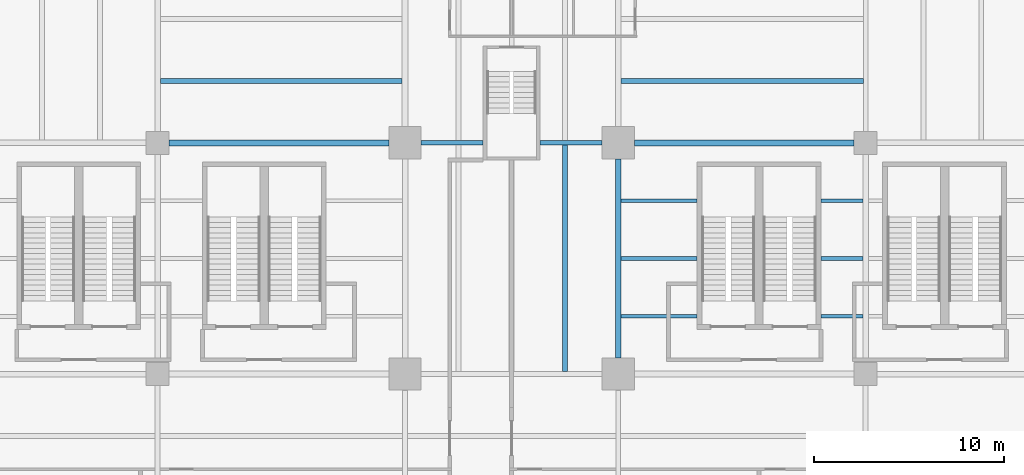
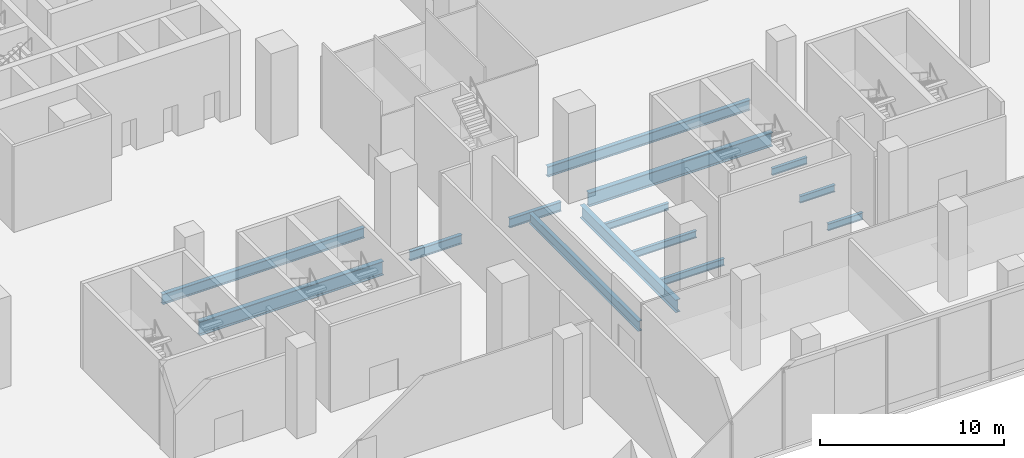
# One storey, part 9 of 41: 14 beams.
"""IFC4 building model written with IfcOpenShell, lengths in metres."""

from ifc_helpers import new_model, si_unit, direction, frame, origin, origin_2d, place, context, subcontext, project, spatial, i_section, extrude, source, transform, mapped, material, material_profile, profile_set, type_object, element, save


model = new_model("IFC4")

# Units and contexts
model_context = context("Model", 3, precision=1e-05, world=origin(), true_north=direction((0.0, 1.0)))
body_context = subcontext(model_context, "Body", "Model", "MODEL_VIEW")
ifc_project = project(units=[si_unit("LENGTHUNIT", "METRE"), si_unit("AREAUNIT", "SQUARE_METRE"), si_unit("VOLUMEUNIT", "CUBIC_METRE"), si_unit("PLANEANGLEUNIT", "RADIAN"), si_unit("MASSUNIT", "GRAM", prefix="KILO")], contexts=[model_context])

# Site, building, storey
site_placement = place(None, origin())
site = spatial("IfcSite", under=ifc_project, at=site_placement, CompositionType="ELEMENT")
building_placement = place(site_placement, origin())
building = spatial("IfcBuilding", under=site, at=building_placement, Name="Trellis Farm Tower", CompositionType="ELEMENT")
storey_placement = place(building_placement, frame((0.0, 0.0, 8.0)))
storey = spatial("IfcBuildingStorey", under=building, at=storey_placement, Name="L01", CompositionType="ELEMENT", Elevation=8.0)

# Beams
ifc_material = material(Name="Steel S355", Category="steel")
ifc_material_profile_1 = material_profile(ifc_material, i_section(OverallWidth=0.305419921875, OverallDepth=0.91845703125, WebThickness=0.017333984375, FlangeThickness=0.02783203125, FilletRadius=0.01904296875, at=origin_2d()), Name="UB 914x305x253")
ifc_profile_set_1 = profile_set([ifc_material_profile_1], Name="Steel S355")
beam_type_1 = type_object("IfcBeamType", Name="UB 914x305x253", PredefinedType="BEAM", material=ifc_profile_set_1)
shared_shape_1 = source(origin(), body_context, "Body", "SweptSolid", [
    extrude(i_section(OverallWidth=0.305419921875, OverallDepth=0.91845703125, WebThickness=0.017333984375, FlangeThickness=0.02783203125, FilletRadius=0.01904296875, at=origin_2d()), origin(), (0.0, 0.0, 1.0), 11.550048828125),
])
for number, where, z_axis, x_axis, name in (
    (1, (-18.0, -18.60009765625, -0.75927734375), (1.0, 0.0, 0.0), (0.0, 1.0, 0.0), "Girder"),
    (2, (6.449951171875, -18.60009765625, -0.75927734375), (1.0, 0.0, 0.0), (0.0, 1.0, 0.0), "Girder"),
):
    element("IfcBeam", number, at=place(storey_placement, frame(where, z_axis=z_axis, x_axis=x_axis)), inside=storey, type_object=beam_type_1, Name=name, PredefinedType="BEAM", context=body_context, shape_type="MappedRepresentation", body=[
        mapped(shared_shape_1, transform((0.0, 0.0, 0.0))),
    ])
ifc_material_profile_2 = material_profile(ifc_material, i_section(OverallWidth=0.22900390625, OverallDepth=0.6123046875, WebThickness=0.011962890625, FlangeThickness=0.01953125, FilletRadius=0.0126953125, at=origin_2d()), Name="UB 610x229x125")
ifc_profile_set_2 = profile_set([ifc_material_profile_2], Name="Steel S355")
beam_type_2 = type_object("IfcBeamType", Name="UB 610x229x125", PredefinedType="BEAM", material=ifc_profile_set_2)
shared_shape_2 = source(origin(), body_context, "Body", "SweptSolid", [
    extrude(i_section(OverallWidth=0.22900390625, OverallDepth=0.6123046875, WebThickness=0.011962890625, FlangeThickness=0.01953125, FilletRadius=0.0126953125, at=origin_2d()), origin(), (0.0, 0.0, 1.0), 3.25),
])
for number, where, z_axis, x_axis, name in (
    (3, (-4.75, -18.60009765625, -0.606201171875), (1.0, 0.0, 0.0), (0.0, 1.0, 0.0), "Girder"),
    (4, (1.5, -18.60009765625, -0.606201171875), (1.0, 0.0, 0.0), (0.0, 1.0, 0.0), "Girder"),
):
    element("IfcBeam", number, at=place(storey_placement, frame(where, z_axis=z_axis, x_axis=x_axis)), inside=storey, type_object=beam_type_2, Name=name, PredefinedType="BEAM", context=body_context, shape_type="MappedRepresentation", body=[
        mapped(shared_shape_2, transform((0.0, 0.0, 0.0))),
    ])
ifc_material_profile_3 = material_profile(ifc_material, i_section(OverallWidth=0.29248046875, OverallDepth=0.8408203125, WebThickness=0.0146484375, FlangeThickness=0.021728515625, FilletRadius=0.017822265625, at=origin_2d()), Name="UB 838x292x194")
ifc_profile_set_3 = profile_set([ifc_material_profile_3], Name="Steel S355")
beam_type_3 = type_object("IfcBeamType", Name="UB 838x292x194", PredefinedType="BEAM", material=ifc_profile_set_3)
shared_shape_3 = source(origin(), body_context, "Body", "SweptSolid", [
    extrude(i_section(OverallWidth=0.29248046875, OverallDepth=0.8408203125, WebThickness=0.0146484375, FlangeThickness=0.021728515625, FilletRadius=0.017822265625, at=origin_2d()), origin(), (0.0, 0.0, 1.0), 10.449951171875),
])
beam_1_placement = place(storey_placement, frame((5.60009765625, -29.89990234375, -0.72021484375), z_axis=(0.0, 1.0, 0.0), x_axis=(-1.0, 0.0, 0.0)))
element("IfcBeam", 5, at=beam_1_placement, inside=storey, type_object=beam_type_3, Name="Girder", PredefinedType="BEAM", context=body_context, shape_type="MappedRepresentation", body=[
    mapped(shared_shape_3, transform((0.0, 0.0, 0.0))),
])
ifc_material_profile_4 = material_profile(ifc_material, i_section(OverallWidth=0.1904296875, OverallDepth=0.45703125, WebThickness=0.009033203125, FlangeThickness=0.014404296875, FilletRadius=0.01025390625, at=origin_2d()), Name="UB 457x191x74")
ifc_profile_set_4 = profile_set([ifc_material_profile_4], Name="Steel S355")
beam_type_4 = type_object("IfcBeamType", Name="UB 457x191x74 joist", PredefinedType="JOIST", material=ifc_profile_set_4)
shared_shape_4 = source(origin(), body_context, "Body", "SweptSolid", [
    extrude(i_section(OverallWidth=0.1904296875, OverallDepth=0.45703125, WebThickness=0.009033203125, FlangeThickness=0.014404296875, FilletRadius=0.01025390625, at=origin_2d()), origin(), (0.0, 0.0, 1.0), 4.00390625),
])
for number, where, z_axis, x_axis, name in (
    (6, (5.74609375, -27.71240234375, -0.528564453125), (1.0, 0.0, 0.0), (0.0, 1.0, 0.0), "Floor beam"),
    (7, (5.74609375, -24.675048828125, -0.528564453125), (1.0, 0.0, 0.0), (0.0, 1.0, 0.0), "Floor beam"),
    (8, (5.74609375, -21.637451171875, -0.528564453125), (1.0, 0.0, 0.0), (0.0, 1.0, 0.0), "Floor beam"),
):
    element("IfcBeam", number, at=place(storey_placement, frame(where, z_axis=z_axis, x_axis=x_axis)), inside=storey, type_object=beam_type_4, Name=name, PredefinedType="JOIST", context=body_context, shape_type="MappedRepresentation", body=[
        mapped(shared_shape_4, transform((0.0, 0.0, 0.0))),
    ])
shared_shape_5 = source(origin(), body_context, "Body", "SweptSolid", [
    extrude(i_section(OverallWidth=0.1904296875, OverallDepth=0.45703125, WebThickness=0.009033203125, FlangeThickness=0.014404296875, FilletRadius=0.01025390625, at=origin_2d()), origin(), (0.0, 0.0, 1.0), 2.203857421875),
])
for number, where, z_axis, x_axis, name in (
    (9, (16.25, -27.71240234375, -0.528564453125), (1.0, 0.0, 0.0), (0.0, 1.0, 0.0), "Floor beam"),
    (10, (16.25, -24.675048828125, -0.528564453125), (1.0, 0.0, 0.0), (0.0, 1.0, 0.0), "Floor beam"),
    (11, (16.25, -21.637451171875, -0.528564453125), (1.0, 0.0, 0.0), (0.0, 1.0, 0.0), "Floor beam"),
):
    element("IfcBeam", number, at=place(storey_placement, frame(where, z_axis=z_axis, x_axis=x_axis)), inside=storey, type_object=beam_type_4, Name=name, PredefinedType="JOIST", context=body_context, shape_type="MappedRepresentation", body=[
        mapped(shared_shape_5, transform((0.0, 0.0, 0.0))),
    ])
ifc_material_profile_5 = material_profile(ifc_material, i_section(OverallWidth=0.253662109375, OverallDepth=0.68359375, WebThickness=0.012451171875, FlangeThickness=0.021728515625, FilletRadius=0.01513671875, at=origin_2d()), Name="UB 686x254x140")
ifc_profile_set_5 = profile_set([ifc_material_profile_5], Name="Steel S355")
beam_type_5 = type_object("IfcBeamType", Name="UB 686x254x140 joist", PredefinedType="JOIST", material=ifc_profile_set_5)
shared_shape_6 = source(origin(), body_context, "Body", "SweptSolid", [
    extrude(i_section(OverallWidth=0.253662109375, OverallDepth=0.68359375, WebThickness=0.012451171875, FlangeThickness=0.021728515625, FilletRadius=0.01513671875, at=origin_2d()), origin(), (0.0, 0.0, 1.0), 12.694580078125),
])
beam_2_placement = place(storey_placement, frame((-18.447265625, -15.35009765625, -0.641845703125), z_axis=(1.0, 0.0, 0.0), x_axis=(0.0, 1.0, 0.0)))
element("IfcBeam", 12, at=beam_2_placement, inside=storey, type_object=beam_type_5, Name="Floor beam", PredefinedType="JOIST", context=body_context, shape_type="MappedRepresentation", body=[
    mapped(shared_shape_6, transform((0.0, 0.0, 0.0))),
])
shared_shape_7 = source(origin(), body_context, "Body", "SweptSolid", [
    extrude(i_section(OverallWidth=0.253662109375, OverallDepth=0.68359375, WebThickness=0.012451171875, FlangeThickness=0.021728515625, FilletRadius=0.01513671875, at=origin_2d()), origin(), (0.0, 0.0, 1.0), 12.73291015625),
])
beam_3_placement = place(storey_placement, frame((5.752685546875, -15.35009765625, -0.641845703125), z_axis=(1.0, 0.0, 0.0), x_axis=(0.0, 1.0, 0.0)))
element("IfcBeam", 13, at=beam_3_placement, inside=storey, type_object=beam_type_5, Name="Floor beam", PredefinedType="JOIST", context=body_context, shape_type="MappedRepresentation", body=[
    mapped(shared_shape_7, transform((0.0, 0.0, 0.0))),
])
shared_shape_8 = source(origin(), body_context, "Body", "SweptSolid", [
    extrude(i_section(OverallWidth=0.253662109375, OverallDepth=0.68359375, WebThickness=0.012451171875, FlangeThickness=0.021728515625, FilletRadius=0.01513671875, at=origin_2d()), origin(), (0.0, 0.0, 1.0), 11.902099609375),
])
beam_4_placement = place(storey_placement, frame((2.800048828125, -30.61669921875, -0.641845703125), z_axis=(0.0, 1.0, 0.0), x_axis=(-1.0, 0.0, 0.0)))
element("IfcBeam", 14, at=beam_4_placement, inside=storey, type_object=beam_type_5, Name="Floor beam", PredefinedType="JOIST", context=body_context, shape_type="MappedRepresentation", body=[
    mapped(shared_shape_8, transform((0.0, 0.0, 0.0))),
])

save(model, "model.ifc")
